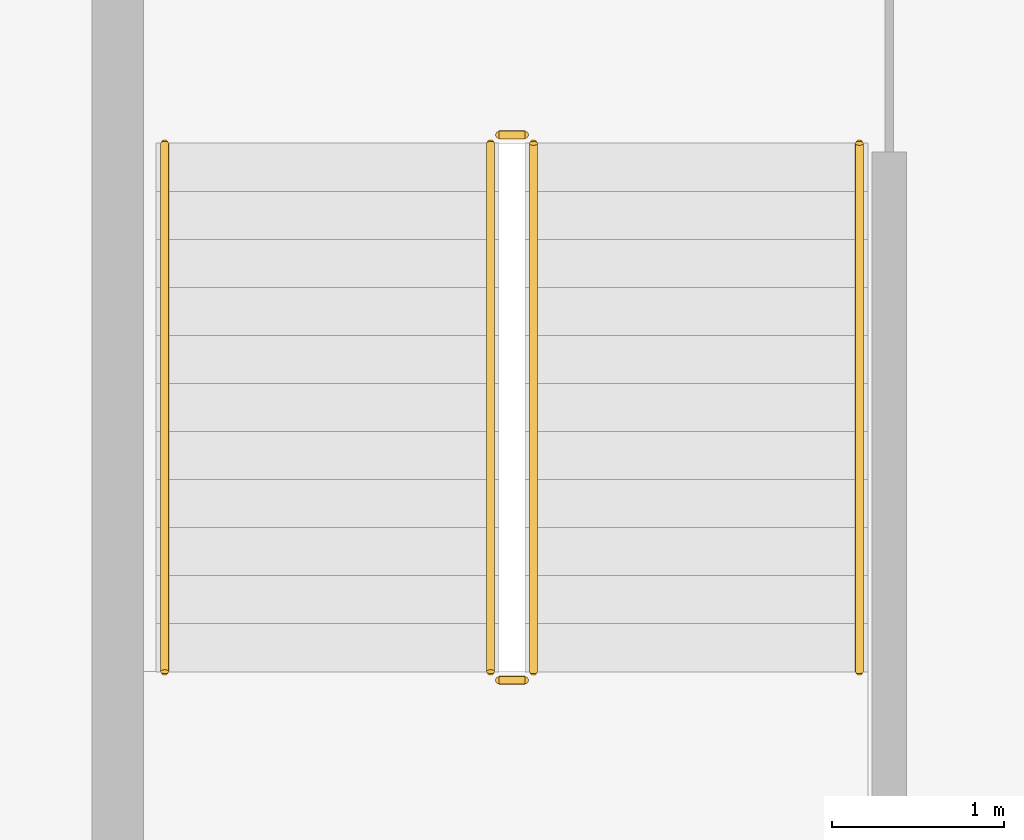
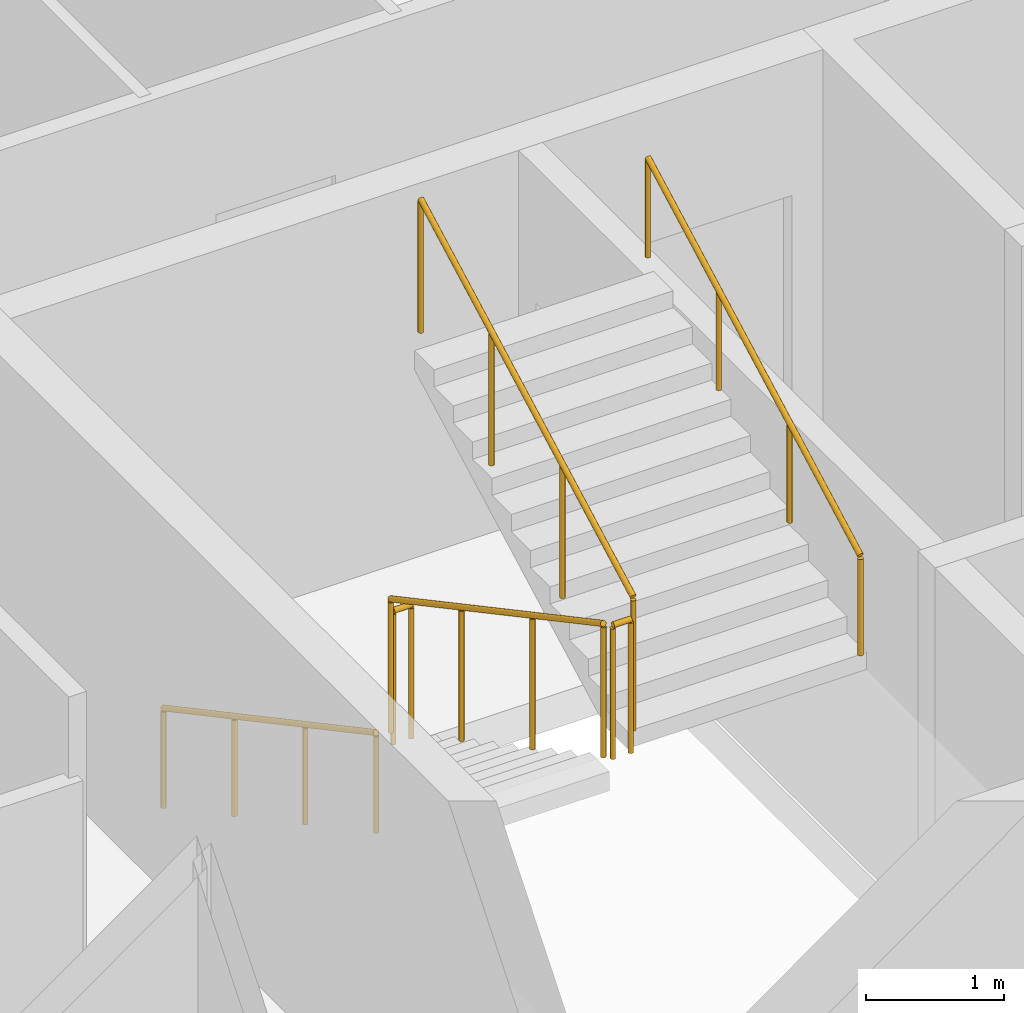
# One storey, part 14 of 16: 6 railings.
"""IFC4 building model written with IfcOpenShell, lengths in metres."""

from ifc_helpers import new_model, si_unit, direction, frame, origin, origin_2d, place, context, subcontext, project, spatial, circle, extrude, material, type_object, element, save


model = new_model("IFC4")

# Units and contexts
model_context = context("Model", 3, precision=1e-05, world=origin(), true_north=direction((0.0, 1.0)))
body_context = subcontext(model_context, "Body", "Model", "MODEL_VIEW")
ifc_project = project(units=[si_unit("LENGTHUNIT", "METRE"), si_unit("AREAUNIT", "SQUARE_METRE"), si_unit("VOLUMEUNIT", "CUBIC_METRE"), si_unit("PLANEANGLEUNIT", "RADIAN"), si_unit("MASSUNIT", "GRAM", prefix="KILO")], contexts=[model_context])

# Site, building, storey
site_placement = place(None, origin())
site = spatial("IfcSite", under=ifc_project, at=site_placement, CompositionType="ELEMENT")
building_placement = place(site_placement, origin())
building = spatial("IfcBuilding", under=site, at=building_placement, Name="Caravel Reach Hotel and Residences", CompositionType="ELEMENT")
storey_placement = place(building_placement, frame((0.0, 0.0, 133.199951171875)))
storey = spatial("IfcBuildingStorey", under=building, at=storey_placement, Name="L33", CompositionType="ELEMENT", Elevation=133.199951171875)

# Railings
ifc_material_1 = material(Name="Steel balustrade with glass infill", Category="steel")
railing_type_1 = type_object("IfcRailingType", Name="Guard 1200", PredefinedType="GUARDRAIL", material=ifc_material_1)
railing_1_placement = place(storey_placement, frame((20.175048828125, 29.35009765625, 0.150146484375)))
element("IfcRailing", 1, at=railing_1_placement, inside=storey, type_object=railing_type_1, Name="L33 ST-A stair guard 1", PredefinedType="GUARDRAIL", context=body_context, shape_type="SweptSolid", body=[
    extrude(circle(Radius=0.02392578125, at=origin_2d()), frame((0.0, 0.0, 1.17578125), z_axis=(0.0, -0.881496589024, 0.472190389079), x_axis=(1.0, 0.0, 0.0)), (0.0, 0.0, 1.0), 3.494140625),
    extrude(circle(Radius=0.02099609375, at=origin_2d()), origin(), (0.0, 0.0, 1.0), 1.15185546875),
    extrude(circle(Radius=0.02099609375, at=origin_2d()), frame((0.0, -1.026611328125, 0.550048828125)), (0.0, 0.0, 1.0), 1.15185546875),
    extrude(circle(Radius=0.02099609375, at=origin_2d()), frame((0.0, -2.053466796875, 1.099853515625)), (0.0, 0.0, 1.0), 1.15185546875),
    extrude(circle(Radius=0.02099609375, at=origin_2d()), frame((0.0, -3.080078125, 1.64990234375)), (0.0, 0.0, 1.0), 1.15185546875),
])
railing_2_placement = place(storey_placement, frame((20.22509765625, 26.219970703125, 1.800048828125)))
element("IfcRailing", 2, at=railing_2_placement, inside=storey, type_object=railing_type_1, Name="L33 ST-A stair guard 2", PredefinedType="GUARDRAIL", context=body_context, shape_type="SweptSolid", body=[
    extrude(circle(Radius=0.02392578125, at=origin_2d()), frame((0.0, 0.0, 1.17578125), z_axis=(1.0, 0.0, 0.0), x_axis=(0.0, 1.0, 0.0)), (0.0, 0.0, 1.0), 0.14990234375),
    extrude(circle(Radius=0.02099609375, at=origin_2d()), origin(), (0.0, 0.0, 1.0), 1.15185546875),
    extrude(circle(Radius=0.02099609375, at=origin_2d()), frame((0.14990234375, 0.0, 0.0)), (0.0, 0.0, 1.0), 1.15185546875),
])
railing_3_placement = place(storey_placement, frame((20.425048828125, 26.27001953125, 1.949951171875)))
element("IfcRailing", 3, at=railing_3_placement, inside=storey, type_object=railing_type_1, Name="L33 ST-A stair guard 3", PredefinedType="GUARDRAIL", context=body_context, shape_type="SweptSolid", body=[
    extrude(circle(Radius=0.02392578125, at=origin_2d()), frame((0.0, 0.0, 1.17578125), z_axis=(0.0, 0.881467505477, 0.472244678941), x_axis=(-1.0, 0.0, 0.0)), (0.0, 0.0, 1.0), 3.494140625),
    extrude(circle(Radius=0.02099609375, at=origin_2d()), origin(), (0.0, 0.0, 1.0), 1.15185546875),
    extrude(circle(Radius=0.02099609375, at=origin_2d()), frame((0.0, 1.026611328125, 0.550048828125)), (0.0, 0.0, 1.0), 1.15185546875),
    extrude(circle(Radius=0.02099609375, at=origin_2d()), frame((0.0, 2.053466796875, 1.10009765625)), (0.0, 0.0, 1.0), 1.15185546875),
    extrude(circle(Radius=0.02099609375, at=origin_2d()), frame((0.0, 3.080078125, 1.650146484375)), (0.0, 0.0, 1.0), 1.15185546875),
])
railing_4_placement = place(storey_placement, frame((20.22509765625, 29.39990234375, 0.0)))
element("IfcRailing", 4, at=railing_4_placement, inside=storey, type_object=railing_type_1, Name="L33 ST-A stair guard 4", PredefinedType="GUARDRAIL", context=body_context, shape_type="SweptSolid", body=[
    extrude(circle(Radius=0.02392578125, at=origin_2d()), frame((0.0, 0.0, 1.17578125), z_axis=(1.0, 0.0, 0.0), x_axis=(0.0, 1.0, 0.0)), (0.0, 0.0, 1.0), 0.14990234375),
    extrude(circle(Radius=0.02099609375, at=origin_2d()), origin(), (0.0, 0.0, 1.0), 1.15185546875),
    extrude(circle(Radius=0.02099609375, at=origin_2d()), frame((0.14990234375, 0.0, 0.0)), (0.0, 0.0, 1.0), 1.15185546875),
])
ifc_material_2 = material(Name="Stainless steel handrail", Category="steel")
railing_type_2 = type_object("IfcRailingType", Name="Handrail 900", PredefinedType="HANDRAIL", material=ifc_material_2)
railing_5_placement = place(storey_placement, frame((18.27490234375, 29.35009765625, 0.150146484375)))
element("IfcRailing", 5, at=railing_5_placement, inside=storey, type_object=railing_type_2, Name="L33 ST-A stair handrail 1", PredefinedType="HANDRAIL", context=body_context, shape_type="SweptSolid", body=[
    extrude(circle(Radius=0.02392578125, at=origin_2d()), frame((0.0, 0.0, 0.8759765625), z_axis=(0.0, -0.881496589024, 0.472190389079), x_axis=(1.0, 0.0, 0.0)), (0.0, 0.0, 1.0), 3.494140625),
    extrude(circle(Radius=0.02099609375, at=origin_2d()), origin(), (0.0, 0.0, 1.0), 0.851806640625),
    extrude(circle(Radius=0.02099609375, at=origin_2d()), frame((0.0, -1.026611328125, 0.550048828125)), (0.0, 0.0, 1.0), 0.851806640625),
    extrude(circle(Radius=0.02099609375, at=origin_2d()), frame((0.0, -2.053466796875, 1.099853515625)), (0.0, 0.0, 1.0), 0.851806640625),
    extrude(circle(Radius=0.02099609375, at=origin_2d()), frame((0.0, -3.080078125, 1.64990234375)), (0.0, 0.0, 1.0), 0.851806640625),
])
railing_6_placement = place(storey_placement, frame((22.324951171875, 26.27001953125, 1.949951171875)))
element("IfcRailing", 6, at=railing_6_placement, inside=storey, type_object=railing_type_2, Name="L33 ST-A stair handrail 2", PredefinedType="HANDRAIL", context=body_context, shape_type="SweptSolid", body=[
    extrude(circle(Radius=0.02392578125, at=origin_2d()), frame((0.0, 0.0, 0.8759765625), z_axis=(0.0, 0.881467505477, 0.472244678941), x_axis=(-1.0, 0.0, 0.0)), (0.0, 0.0, 1.0), 3.494140625),
    extrude(circle(Radius=0.02099609375, at=origin_2d()), origin(), (0.0, 0.0, 1.0), 0.851806640625),
    extrude(circle(Radius=0.02099609375, at=origin_2d()), frame((0.0, 1.026611328125, 0.550048828125)), (0.0, 0.0, 1.0), 0.851806640625),
    extrude(circle(Radius=0.02099609375, at=origin_2d()), frame((0.0, 2.053466796875, 1.10009765625)), (0.0, 0.0, 1.0), 0.851806640625),
    extrude(circle(Radius=0.02099609375, at=origin_2d()), frame((0.0, 3.080078125, 1.650146484375)), (0.0, 0.0, 1.0), 0.851806640625),
])

save(model, "model.ifc")
